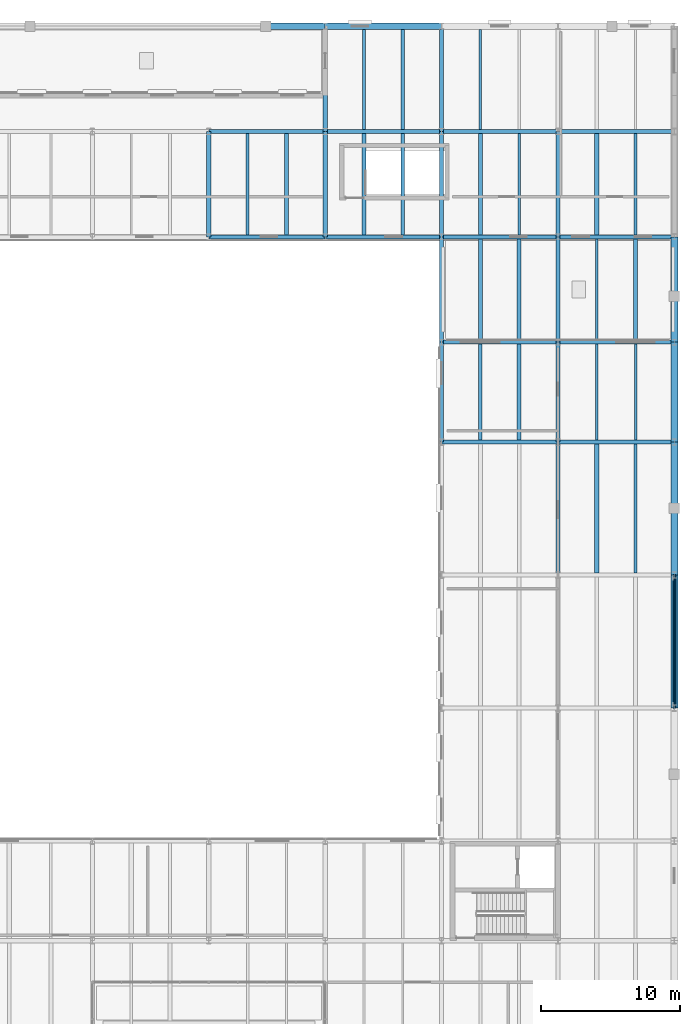
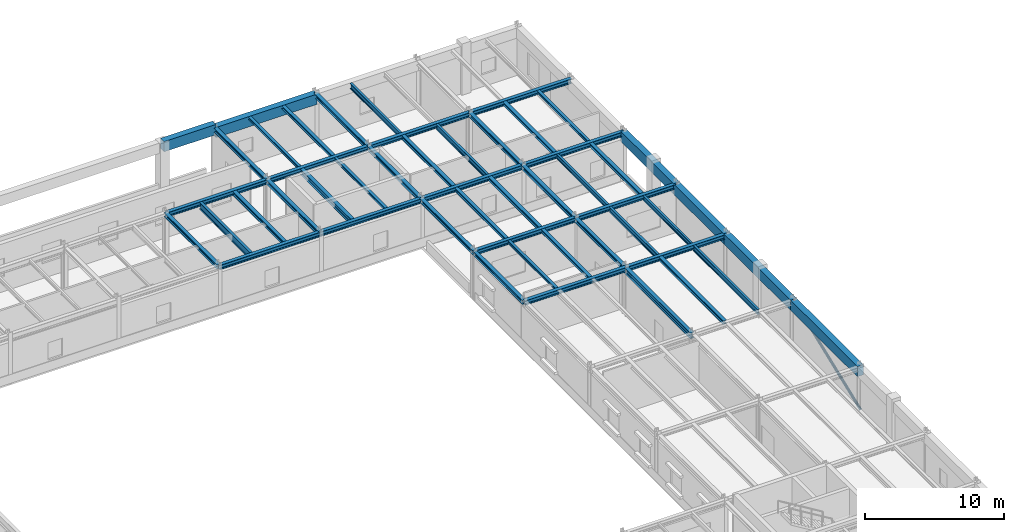
# One storey, part 34 of 64: 50 beams, 1 member.
"""IFC4 building model written with IfcOpenShell, lengths in metres."""

from ifc_helpers import new_model, si_unit, direction, frame, origin, origin_2d, place, context, subcontext, project, spatial, rectangle, hollow_circle, i_section, extrude, material, material_profile, profile_set, type_object, element, save


model = new_model("IFC4")

# Units and contexts
model_context = context("Model", 3, precision=1e-05, world=origin(), true_north=direction((0.0, 1.0)))
body_context = subcontext(model_context, "Body", "Model", "MODEL_VIEW")
ifc_project = project(units=[si_unit("LENGTHUNIT", "METRE"), si_unit("AREAUNIT", "SQUARE_METRE"), si_unit("VOLUMEUNIT", "CUBIC_METRE"), si_unit("PLANEANGLEUNIT", "RADIAN"), si_unit("MASSUNIT", "GRAM", prefix="KILO")], contexts=[model_context])

# Site, building, storey
site_placement = place(None, origin())
site = spatial("IfcSite", under=ifc_project, at=site_placement, CompositionType="ELEMENT")
building_placement = place(site_placement, origin())
building = spatial("IfcBuilding", under=site, at=building_placement, Name="Montealbar Specialist Clinic", CompositionType="ELEMENT")
storey_placement = place(building_placement, frame((0.0, 0.0, 5.10009765625)))
storey = spatial("IfcBuildingStorey", under=building, at=storey_placement, Name="L01", CompositionType="ELEMENT", Elevation=5.10009765625)

# Beams
ifc_material_1 = material(Name="Precast concrete C40/50", Category="concrete")
ifc_material_profile_1 = material_profile(ifc_material_1, rectangle(XDim=0.5, YDim=0.89990234375, at=origin_2d()), Name="PRECAST CORNICE 500x900", Category="concrete")
ifc_profile_set_1 = profile_set([ifc_material_profile_1], Name="Precast concrete C40/50")
beam_type_1 = type_object("IfcBeamType", Name="BM-CORNICE-PM900-EXT", PredefinedType="SPANDREL", material=ifc_profile_set_1)
beam_1_placement = place(storey_placement, frame((136.800048828125, 111.0, 3.77978515625), z_axis=(1.0, 0.0, 0.0), x_axis=(0.0, 1.0, 0.0)))
element("IfcBeam", 1, at=beam_1_placement, inside=storey, type_object=beam_type_1, Name="Postmodern Entablature Cornice L01 Y=111.0 X=136.8-145.2", PredefinedType="SPANDREL", context=body_context, shape_type="SweptSolid", body=[
    extrude(rectangle(XDim=0.5, YDim=0.89990234375, at=origin_2d()), origin(), (0.0, 0.0, 1.0), 8.39990234375),
])
beam_2_placement = place(storey_placement, frame((162.0, 61.800048828125, 3.77001953125), z_axis=(0.0, 1.0, 0.0), x_axis=(-1.0, 0.0, 0.0)))
element("IfcBeam", 2, at=beam_2_placement, inside=storey, type_object=beam_type_1, Name="Postmodern Entablature Cornice L01 X=162.0 Y=61.8-71.4", PredefinedType="SPANDREL", context=body_context, shape_type="SweptSolid", body=[
    extrude(rectangle(XDim=0.5, YDim=0.89990234375, at=origin_2d()), origin(), (0.0, 0.0, 1.0), 9.599853515625),
])
beam_3_placement = place(storey_placement, frame((162.0, 71.39990234375, 3.77001953125), z_axis=(0.0, 1.0, 0.0), x_axis=(-1.0, 0.0, 0.0)))
element("IfcBeam", 3, at=beam_3_placement, inside=storey, type_object=beam_type_1, Name="Postmodern Entablature Cornice L01 X=162.0 Y=71.4-81.0", PredefinedType="SPANDREL", context=body_context, shape_type="SweptSolid", body=[
    extrude(rectangle(XDim=0.5, YDim=0.89990234375, at=origin_2d()), origin(), (0.0, 0.0, 1.0), 9.60009765625),
])
beam_4_placement = place(storey_placement, frame((162.0, 81.0, 3.77001953125), z_axis=(0.0, 1.0, 0.0), x_axis=(-1.0, 0.0, 0.0)))
element("IfcBeam", 4, at=beam_4_placement, inside=storey, type_object=beam_type_1, Name="Postmodern Entablature Cornice L01 X=162.0 Y=81.0-88.2", PredefinedType="SPANDREL", context=body_context, shape_type="SweptSolid", body=[
    extrude(rectangle(XDim=0.5, YDim=0.89990234375, at=origin_2d()), origin(), (0.0, 0.0, 1.0), 7.199951171875),
])
beam_5_placement = place(storey_placement, frame((162.0, 88.199951171875, 3.77978515625), z_axis=(0.0, 1.0, 0.0), x_axis=(-1.0, 0.0, 0.0)))
element("IfcBeam", 5, at=beam_5_placement, inside=storey, type_object=beam_type_1, Name="Postmodern Entablature Cornice L01 X=162.0 Y=88.2-95.8", PredefinedType="SPANDREL", context=body_context, shape_type="SweptSolid", body=[
    extrude(rectangle(XDim=0.5, YDim=0.89990234375, at=origin_2d()), origin(), (0.0, 0.0, 1.0), 7.60009765625),
])
beam_6_placement = place(storey_placement, frame((132.5, 111.0, 4.0498046875), z_axis=(1.0, 0.0, 0.0), x_axis=(0.0, 1.0, 0.0)))
element("IfcBeam", 6, at=beam_6_placement, inside=storey, type_object=beam_type_1, Name="North Colonnade Portico Entablature X=132.5-136.8", PredefinedType="SPANDREL", context=body_context, shape_type="SweptSolid", body=[
    extrude(rectangle(XDim=0.5, YDim=0.89990234375, at=origin_2d()), origin(), (0.0, 0.0, 1.0), 4.300048828125),
])
ifc_material_2 = material(Name="Steel S355", Category="steel")
ifc_material_profile_2 = material_profile(ifc_material_2, i_section(OverallWidth=0.300048828125, OverallDepth=0.360107421875, WebThickness=0.012451171875, FlangeThickness=0.0224609375, FilletRadius=0.027099609375, at=origin_2d()), Name="HEB 360", Category="steel")
ifc_profile_set_2 = profile_set([ifc_material_profile_2], Name="Steel S355")
beam_type_2 = type_object("IfcBeamType", Name="BM-GIRD-HEB360-EXT", PredefinedType="BEAM", material=ifc_profile_set_2)
for number, where, z_axis, x_axis, name in (
    (7, (128.39990234375, 95.800048828125, 4.0498046875), (0.0, 1.0, 0.0), (-1.0, 0.0, 0.0), "Beam GY-L01-1284-958-1034"),
    (8, (136.800048828125, 95.800048828125, 4.0498046875), (0.0, 1.0, 0.0), (-1.0, 0.0, 0.0), "Beam GY-L01-1368-958-1034"),
):
    element("IfcBeam", number, at=place(storey_placement, frame(where, z_axis=z_axis, x_axis=x_axis)), inside=storey, type_object=beam_type_2, Name=name, PredefinedType="BEAM", context=body_context, shape_type="SweptSolid", body=[
        extrude(i_section(OverallWidth=0.300048828125, OverallDepth=0.360107421875, WebThickness=0.012451171875, FlangeThickness=0.0224609375, FilletRadius=0.027099609375, at=origin_2d()), origin(), (0.0, 0.0, 1.0), 7.599853515625),
    ])
beam_7_placement = place(storey_placement, frame((136.800048828125, 103.39990234375, 4.0498046875), z_axis=(0.0, 1.0, 0.0), x_axis=(-1.0, 0.0, 0.0)))
element("IfcBeam", 9, at=beam_7_placement, inside=storey, type_object=beam_type_2, Name="Beam GY-L01-1368-1034-1110", PredefinedType="BEAM", context=body_context, shape_type="SweptSolid", body=[
    extrude(i_section(OverallWidth=0.300048828125, OverallDepth=0.360107421875, WebThickness=0.012451171875, FlangeThickness=0.0224609375, FilletRadius=0.027099609375, at=origin_2d()), origin(), (0.0, 0.0, 1.0), 7.60009765625),
])
beam_8_placement = place(storey_placement, frame((145.199951171875, 81.0, 4.039794921875), z_axis=(0.0, 1.0, 0.0), x_axis=(-1.0, 0.0, 0.0)))
element("IfcBeam", 10, at=beam_8_placement, inside=storey, type_object=beam_type_2, Name="Beam GY-L01-1452-810-882", PredefinedType="BEAM", context=body_context, shape_type="SweptSolid", body=[
    extrude(i_section(OverallWidth=0.300048828125, OverallDepth=0.360107421875, WebThickness=0.012451171875, FlangeThickness=0.0224609375, FilletRadius=0.027099609375, at=origin_2d()), origin(), (0.0, 0.0, 1.0), 7.199951171875),
])
beam_9_placement = place(storey_placement, frame((145.199951171875, 88.199951171875, 4.0498046875), z_axis=(0.0, 1.0, 0.0), x_axis=(-1.0, 0.0, 0.0)))
element("IfcBeam", 11, at=beam_9_placement, inside=storey, type_object=beam_type_2, Name="Beam GY-L01-1452-882-958", PredefinedType="BEAM", context=body_context, shape_type="SweptSolid", body=[
    extrude(i_section(OverallWidth=0.300048828125, OverallDepth=0.360107421875, WebThickness=0.012451171875, FlangeThickness=0.0224609375, FilletRadius=0.027099609375, at=origin_2d()), origin(), (0.0, 0.0, 1.0), 7.60009765625),
])
beam_10_placement = place(storey_placement, frame((145.199951171875, 95.800048828125, 4.0498046875), z_axis=(0.0, 1.0, 0.0), x_axis=(-1.0, 0.0, 0.0)))
element("IfcBeam", 12, at=beam_10_placement, inside=storey, type_object=beam_type_2, Name="Beam GY-L01-1452-958-1034", PredefinedType="BEAM", context=body_context, shape_type="SweptSolid", body=[
    extrude(i_section(OverallWidth=0.300048828125, OverallDepth=0.360107421875, WebThickness=0.012451171875, FlangeThickness=0.0224609375, FilletRadius=0.027099609375, at=origin_2d()), origin(), (0.0, 0.0, 1.0), 7.599853515625),
])
beam_11_placement = place(storey_placement, frame((145.199951171875, 103.39990234375, 4.0498046875), z_axis=(0.0, 1.0, 0.0), x_axis=(-1.0, 0.0, 0.0)))
element("IfcBeam", 13, at=beam_11_placement, inside=storey, type_object=beam_type_2, Name="Beam GY-L01-1452-1034-1110", PredefinedType="BEAM", context=body_context, shape_type="SweptSolid", body=[
    extrude(i_section(OverallWidth=0.300048828125, OverallDepth=0.360107421875, WebThickness=0.012451171875, FlangeThickness=0.0224609375, FilletRadius=0.027099609375, at=origin_2d()), origin(), (0.0, 0.0, 1.0), 7.60009765625),
])
beam_12_placement = place(storey_placement, frame((153.60009765625, 81.0, 4.039794921875), z_axis=(0.0, 1.0, 0.0), x_axis=(-1.0, 0.0, 0.0)))
element("IfcBeam", 14, at=beam_12_placement, inside=storey, type_object=beam_type_2, Name="Beam GY-L01-1536-810-882", PredefinedType="BEAM", context=body_context, shape_type="SweptSolid", body=[
    extrude(i_section(OverallWidth=0.300048828125, OverallDepth=0.360107421875, WebThickness=0.012451171875, FlangeThickness=0.0224609375, FilletRadius=0.027099609375, at=origin_2d()), origin(), (0.0, 0.0, 1.0), 7.199951171875),
])
beam_13_placement = place(storey_placement, frame((153.60009765625, 88.199951171875, 4.0498046875), z_axis=(0.0, 1.0, 0.0), x_axis=(-1.0, 0.0, 0.0)))
element("IfcBeam", 15, at=beam_13_placement, inside=storey, type_object=beam_type_2, Name="Beam GY-L01-1536-882-958", PredefinedType="BEAM", context=body_context, shape_type="SweptSolid", body=[
    extrude(i_section(OverallWidth=0.300048828125, OverallDepth=0.360107421875, WebThickness=0.012451171875, FlangeThickness=0.0224609375, FilletRadius=0.027099609375, at=origin_2d()), origin(), (0.0, 0.0, 1.0), 7.60009765625),
])
beam_14_placement = place(storey_placement, frame((153.60009765625, 95.800048828125, 4.0498046875), z_axis=(0.0, 1.0, 0.0), x_axis=(-1.0, 0.0, 0.0)))
element("IfcBeam", 16, at=beam_14_placement, inside=storey, type_object=beam_type_2, Name="Beam GY-L01-1536-958-1034", PredefinedType="BEAM", context=body_context, shape_type="SweptSolid", body=[
    extrude(i_section(OverallWidth=0.300048828125, OverallDepth=0.360107421875, WebThickness=0.012451171875, FlangeThickness=0.0224609375, FilletRadius=0.027099609375, at=origin_2d()), origin(), (0.0, 0.0, 1.0), 7.599853515625),
])
ifc_material_profile_3 = material_profile(ifc_material_2, i_section(OverallWidth=0.300048828125, OverallDepth=0.39990234375, WebThickness=0.013427734375, FlangeThickness=0.02392578125, FilletRadius=0.027099609375, at=origin_2d()), Name="HEB 400", Category="steel")
ifc_profile_set_3 = profile_set([ifc_material_profile_3], Name="Steel S355")
beam_type_3 = type_object("IfcBeamType", Name="BM-GIRD-HEB400-EXT", PredefinedType="BEAM", material=ifc_profile_set_3)
beam_15_placement = place(storey_placement, frame((145.199951171875, 81.0, 4.02001953125), z_axis=(1.0, 0.0, 0.0), x_axis=(0.0, 1.0, 0.0)))
element("IfcBeam", 17, at=beam_15_placement, inside=storey, type_object=beam_type_3, Name="Beam GX-L01-1452-1536-810", PredefinedType="BEAM", context=body_context, shape_type="SweptSolid", body=[
    extrude(i_section(OverallWidth=0.300048828125, OverallDepth=0.39990234375, WebThickness=0.013427734375, FlangeThickness=0.02392578125, FilletRadius=0.027099609375, at=origin_2d()), origin(), (0.0, 0.0, 1.0), 8.400146484375),
])
beam_16_placement = place(storey_placement, frame((153.60009765625, 81.0, 4.02001953125), z_axis=(1.0, 0.0, 0.0), x_axis=(0.0, 1.0, 0.0)))
element("IfcBeam", 18, at=beam_16_placement, inside=storey, type_object=beam_type_3, Name="Beam GX-L01-1536-1620-810", PredefinedType="BEAM", context=body_context, shape_type="SweptSolid", body=[
    extrude(i_section(OverallWidth=0.300048828125, OverallDepth=0.39990234375, WebThickness=0.013427734375, FlangeThickness=0.02392578125, FilletRadius=0.027099609375, at=origin_2d()), origin(), (0.0, 0.0, 1.0), 8.39990234375),
])
beam_17_placement = place(storey_placement, frame((145.199951171875, 88.199951171875, 4.02978515625), z_axis=(1.0, 0.0, 0.0), x_axis=(0.0, 1.0, 0.0)))
element("IfcBeam", 19, at=beam_17_placement, inside=storey, type_object=beam_type_3, Name="Beam GX-L01-1452-1536-882", PredefinedType="BEAM", context=body_context, shape_type="SweptSolid", body=[
    extrude(i_section(OverallWidth=0.300048828125, OverallDepth=0.39990234375, WebThickness=0.013427734375, FlangeThickness=0.02392578125, FilletRadius=0.027099609375, at=origin_2d()), origin(), (0.0, 0.0, 1.0), 8.400146484375),
])
beam_18_placement = place(storey_placement, frame((153.60009765625, 88.199951171875, 4.02978515625), z_axis=(1.0, 0.0, 0.0), x_axis=(0.0, 1.0, 0.0)))
element("IfcBeam", 20, at=beam_18_placement, inside=storey, type_object=beam_type_3, Name="Beam GX-L01-1536-1620-882", PredefinedType="BEAM", context=body_context, shape_type="SweptSolid", body=[
    extrude(i_section(OverallWidth=0.300048828125, OverallDepth=0.39990234375, WebThickness=0.013427734375, FlangeThickness=0.02392578125, FilletRadius=0.027099609375, at=origin_2d()), origin(), (0.0, 0.0, 1.0), 8.39990234375),
])
beam_19_placement = place(storey_placement, frame((128.39990234375, 95.800048828125, 4.02978515625), z_axis=(1.0, 0.0, 0.0), x_axis=(0.0, 1.0, 0.0)))
element("IfcBeam", 21, at=beam_19_placement, inside=storey, type_object=beam_type_3, Name="Beam GX-L01-1284-1368-958", PredefinedType="BEAM", context=body_context, shape_type="SweptSolid", body=[
    extrude(i_section(OverallWidth=0.300048828125, OverallDepth=0.39990234375, WebThickness=0.013427734375, FlangeThickness=0.02392578125, FilletRadius=0.027099609375, at=origin_2d()), origin(), (0.0, 0.0, 1.0), 8.400146484375),
])
beam_20_placement = place(storey_placement, frame((136.800048828125, 95.800048828125, 4.02978515625), z_axis=(1.0, 0.0, 0.0), x_axis=(0.0, 1.0, 0.0)))
element("IfcBeam", 22, at=beam_20_placement, inside=storey, type_object=beam_type_3, Name="Beam GX-L01-1368-1452-958", PredefinedType="BEAM", context=body_context, shape_type="SweptSolid", body=[
    extrude(i_section(OverallWidth=0.300048828125, OverallDepth=0.39990234375, WebThickness=0.013427734375, FlangeThickness=0.02392578125, FilletRadius=0.027099609375, at=origin_2d()), origin(), (0.0, 0.0, 1.0), 8.39990234375),
])
beam_21_placement = place(storey_placement, frame((145.199951171875, 95.800048828125, 4.02978515625), z_axis=(1.0, 0.0, 0.0), x_axis=(0.0, 1.0, 0.0)))
element("IfcBeam", 23, at=beam_21_placement, inside=storey, type_object=beam_type_3, Name="Beam GX-L01-1452-1536-958", PredefinedType="BEAM", context=body_context, shape_type="SweptSolid", body=[
    extrude(i_section(OverallWidth=0.300048828125, OverallDepth=0.39990234375, WebThickness=0.013427734375, FlangeThickness=0.02392578125, FilletRadius=0.027099609375, at=origin_2d()), origin(), (0.0, 0.0, 1.0), 8.400146484375),
])
beam_22_placement = place(storey_placement, frame((153.60009765625, 95.800048828125, 4.02978515625), z_axis=(1.0, 0.0, 0.0), x_axis=(0.0, 1.0, 0.0)))
element("IfcBeam", 24, at=beam_22_placement, inside=storey, type_object=beam_type_3, Name="Beam GX-L01-1536-1620-958", PredefinedType="BEAM", context=body_context, shape_type="SweptSolid", body=[
    extrude(i_section(OverallWidth=0.300048828125, OverallDepth=0.39990234375, WebThickness=0.013427734375, FlangeThickness=0.02392578125, FilletRadius=0.027099609375, at=origin_2d()), origin(), (0.0, 0.0, 1.0), 8.39990234375),
])
beam_23_placement = place(storey_placement, frame((128.39990234375, 103.39990234375, 4.02978515625), z_axis=(1.0, 0.0, 0.0), x_axis=(0.0, 1.0, 0.0)))
element("IfcBeam", 25, at=beam_23_placement, inside=storey, type_object=beam_type_3, Name="Beam GX-L01-1284-1368-1034", PredefinedType="BEAM", context=body_context, shape_type="SweptSolid", body=[
    extrude(i_section(OverallWidth=0.300048828125, OverallDepth=0.39990234375, WebThickness=0.013427734375, FlangeThickness=0.02392578125, FilletRadius=0.027099609375, at=origin_2d()), origin(), (0.0, 0.0, 1.0), 8.400146484375),
])
beam_24_placement = place(storey_placement, frame((136.800048828125, 103.39990234375, 4.02978515625), z_axis=(1.0, 0.0, 0.0), x_axis=(0.0, 1.0, 0.0)))
element("IfcBeam", 26, at=beam_24_placement, inside=storey, type_object=beam_type_3, Name="Beam GX-L01-1368-1452-1034", PredefinedType="BEAM", context=body_context, shape_type="SweptSolid", body=[
    extrude(i_section(OverallWidth=0.300048828125, OverallDepth=0.39990234375, WebThickness=0.013427734375, FlangeThickness=0.02392578125, FilletRadius=0.027099609375, at=origin_2d()), origin(), (0.0, 0.0, 1.0), 8.39990234375),
])
beam_25_placement = place(storey_placement, frame((145.199951171875, 103.39990234375, 4.02978515625), z_axis=(1.0, 0.0, 0.0), x_axis=(0.0, 1.0, 0.0)))
element("IfcBeam", 27, at=beam_25_placement, inside=storey, type_object=beam_type_3, Name="Beam GX-L01-1452-1536-1034", PredefinedType="BEAM", context=body_context, shape_type="SweptSolid", body=[
    extrude(i_section(OverallWidth=0.300048828125, OverallDepth=0.39990234375, WebThickness=0.013427734375, FlangeThickness=0.02392578125, FilletRadius=0.027099609375, at=origin_2d()), origin(), (0.0, 0.0, 1.0), 8.400146484375),
])
beam_26_placement = place(storey_placement, frame((153.60009765625, 103.39990234375, 4.02978515625), z_axis=(1.0, 0.0, 0.0), x_axis=(0.0, 1.0, 0.0)))
element("IfcBeam", 28, at=beam_26_placement, inside=storey, type_object=beam_type_3, Name="Beam GX-L01-1536-1620-1034", PredefinedType="BEAM", context=body_context, shape_type="SweptSolid", body=[
    extrude(i_section(OverallWidth=0.300048828125, OverallDepth=0.39990234375, WebThickness=0.013427734375, FlangeThickness=0.02392578125, FilletRadius=0.027099609375, at=origin_2d()), origin(), (0.0, 0.0, 1.0), 8.39990234375),
])
ifc_material_profile_4 = material_profile(ifc_material_2, i_section(OverallWidth=0.300048828125, OverallDepth=0.5, WebThickness=0.014404296875, FlangeThickness=0.028076171875, FilletRadius=0.027099609375, at=origin_2d()), Name="HEB 500", Category="steel")
ifc_profile_set_4 = profile_set([ifc_material_profile_4], Name="Steel S355")
beam_type_4 = type_object("IfcBeamType", Name="BM-GIRD-HEB500", PredefinedType="BEAM", material=ifc_profile_set_4)
beam_27_placement = place(storey_placement, frame((153.60009765625, 71.39990234375, 3.969970703125), z_axis=(0.0, 1.0, 0.0), x_axis=(-1.0, 0.0, 0.0)))
element("IfcBeam", 29, at=beam_27_placement, inside=storey, type_object=beam_type_4, Name="Beam GY-L01-1536-714-810", PredefinedType="BEAM", context=body_context, shape_type="SweptSolid", body=[
    extrude(i_section(OverallWidth=0.300048828125, OverallDepth=0.5, WebThickness=0.014404296875, FlangeThickness=0.028076171875, FilletRadius=0.027099609375, at=origin_2d()), origin(), (0.0, 0.0, 1.0), 9.60009765625),
])
ifc_material_profile_5 = material_profile(ifc_material_2, i_section(OverallWidth=0.300048828125, OverallDepth=0.35009765625, WebThickness=0.010009765625, FlangeThickness=0.017578125, FilletRadius=0.027099609375, at=origin_2d()), Name="HEA 360", Category="steel")
ifc_profile_set_5 = profile_set([ifc_material_profile_5], Name="Steel S355")
beam_type_5 = type_object("IfcBeamType", Name="BM-JST-HEA360", PredefinedType="JOIST", material=ifc_profile_set_5)
beam_28_placement = place(storey_placement, frame((134.0, 95.949951171875, 4.054931640625), z_axis=(0.0, 1.0, 0.0), x_axis=(-1.0, 0.0, 0.0)))
element("IfcBeam", 30, at=beam_28_placement, inside=storey, type_object=beam_type_5, Name="Beam JST-L01-1340-960-1032", PredefinedType="JOIST", context=body_context, shape_type="SweptSolid", body=[
    extrude(i_section(OverallWidth=0.300048828125, OverallDepth=0.35009765625, WebThickness=0.010009765625, FlangeThickness=0.017578125, FilletRadius=0.027099609375, at=origin_2d()), origin(), (0.0, 0.0, 1.0), 7.300048828125),
])
ifc_material_profile_6 = material_profile(ifc_material_2, i_section(OverallWidth=0.300048828125, OverallDepth=0.489990234375, WebThickness=0.011962890625, FlangeThickness=0.02294921875, FilletRadius=0.027099609375, at=origin_2d()), Name="HEA 500", Category="steel")
ifc_profile_set_6 = profile_set([ifc_material_profile_6], Name="Steel S355")
beam_type_6 = type_object("IfcBeamType", Name="BM-JST-HEA500", PredefinedType="JOIST", material=ifc_profile_set_6)
beam_29_placement = place(storey_placement, frame((139.60009765625, 95.949951171875, 3.98486328125), z_axis=(0.0, 1.0, 0.0), x_axis=(-1.0, 0.0, 0.0)))
element("IfcBeam", 31, at=beam_29_placement, inside=storey, type_object=beam_type_6, Name="Beam JST-L01-1396-960-1032", PredefinedType="JOIST", context=body_context, shape_type="SweptSolid", body=[
    extrude(i_section(OverallWidth=0.300048828125, OverallDepth=0.489990234375, WebThickness=0.011962890625, FlangeThickness=0.02294921875, FilletRadius=0.027099609375, at=origin_2d()), origin(), (0.0, 0.0, 1.0), 7.300048828125),
])
ifc_material_profile_7 = material_profile(ifc_material_2, i_section(OverallWidth=0.239990234375, OverallDepth=0.239990234375, WebThickness=0.010009765625, FlangeThickness=0.01708984375, FilletRadius=0.02099609375, at=origin_2d()), Name="HEB 240", Category="steel")
ifc_profile_set_7 = profile_set([ifc_material_profile_7], Name="Steel S355")
beam_type_7 = type_object("IfcBeamType", Name="BM-JST-HEB240", PredefinedType="JOIST", material=ifc_profile_set_7)
beam_30_placement = place(storey_placement, frame((142.39990234375, 95.949951171875, 4.10986328125), z_axis=(0.0, 1.0, 0.0), x_axis=(-1.0, 0.0, 0.0)))
element("IfcBeam", 32, at=beam_30_placement, inside=storey, type_object=beam_type_7, Name="Beam JST-L01-1424-960-1032", PredefinedType="JOIST", context=body_context, shape_type="SweptSolid", body=[
    extrude(i_section(OverallWidth=0.239990234375, OverallDepth=0.239990234375, WebThickness=0.010009765625, FlangeThickness=0.01708984375, FilletRadius=0.02099609375, at=origin_2d()), origin(), (0.0, 0.0, 1.0), 7.300048828125),
])
beam_31_placement = place(storey_placement, frame((139.60009765625, 103.550048828125, 4.10986328125), z_axis=(0.0, 1.0, 0.0), x_axis=(-1.0, 0.0, 0.0)))
element("IfcBeam", 33, at=beam_31_placement, inside=storey, type_object=beam_type_7, Name="Beam JST-L01-1396-1036-1108", PredefinedType="JOIST", context=body_context, shape_type="SweptSolid", body=[
    extrude(i_section(OverallWidth=0.239990234375, OverallDepth=0.239990234375, WebThickness=0.010009765625, FlangeThickness=0.01708984375, FilletRadius=0.02099609375, at=origin_2d()), origin(), (0.0, 0.0, 1.0), 7.199951171875),
])
beam_32_placement = place(storey_placement, frame((148.0, 81.14990234375, 4.099853515625), z_axis=(0.0, 1.0, 0.0), x_axis=(-1.0, 0.0, 0.0)))
element("IfcBeam", 34, at=beam_32_placement, inside=storey, type_object=beam_type_7, Name="Beam JST-L01-1480-812-880", PredefinedType="JOIST", context=body_context, shape_type="SweptSolid", body=[
    extrude(i_section(OverallWidth=0.239990234375, OverallDepth=0.239990234375, WebThickness=0.010009765625, FlangeThickness=0.01708984375, FilletRadius=0.02099609375, at=origin_2d()), origin(), (0.0, 0.0, 1.0), 6.900146484375),
])
ifc_material_profile_8 = material_profile(ifc_material_2, i_section(OverallWidth=0.280029296875, OverallDepth=0.280029296875, WebThickness=0.010498046875, FlangeThickness=0.01806640625, FilletRadius=0.02392578125, at=origin_2d()), Name="HEB 280", Category="steel")
ifc_profile_set_8 = profile_set([ifc_material_profile_8], Name="Steel S355")
beam_type_8 = type_object("IfcBeamType", Name="BM-JST-HEB280", PredefinedType="JOIST", material=ifc_profile_set_8)
beam_33_placement = place(storey_placement, frame((142.39990234375, 103.550048828125, 4.08984375), z_axis=(0.0, 1.0, 0.0), x_axis=(-1.0, 0.0, 0.0)))
element("IfcBeam", 35, at=beam_33_placement, inside=storey, type_object=beam_type_8, Name="Beam JST-L01-1424-1036-1108", PredefinedType="JOIST", context=body_context, shape_type="SweptSolid", body=[
    extrude(i_section(OverallWidth=0.280029296875, OverallDepth=0.280029296875, WebThickness=0.010498046875, FlangeThickness=0.01806640625, FilletRadius=0.02392578125, at=origin_2d()), origin(), (0.0, 0.0, 1.0), 7.199951171875),
])
beam_34_placement = place(storey_placement, frame((150.800048828125, 81.14990234375, 4.079833984375), z_axis=(0.0, 1.0, 0.0), x_axis=(-1.0, 0.0, 0.0)))
element("IfcBeam", 36, at=beam_34_placement, inside=storey, type_object=beam_type_8, Name="Beam JST-L01-1508-812-880", PredefinedType="JOIST", context=body_context, shape_type="SweptSolid", body=[
    extrude(i_section(OverallWidth=0.280029296875, OverallDepth=0.280029296875, WebThickness=0.010498046875, FlangeThickness=0.01806640625, FilletRadius=0.02392578125, at=origin_2d()), origin(), (0.0, 0.0, 1.0), 6.900146484375),
])
beam_35_placement = place(storey_placement, frame((148.0, 88.35009765625, 4.08984375), z_axis=(0.0, 1.0, 0.0), x_axis=(-1.0, 0.0, 0.0)))
element("IfcBeam", 37, at=beam_35_placement, inside=storey, type_object=beam_type_8, Name="Beam JST-L01-1480-884-956", PredefinedType="JOIST", context=body_context, shape_type="SweptSolid", body=[
    extrude(i_section(OverallWidth=0.280029296875, OverallDepth=0.280029296875, WebThickness=0.010498046875, FlangeThickness=0.01806640625, FilletRadius=0.02392578125, at=origin_2d()), origin(), (0.0, 0.0, 1.0), 7.2998046875),
])
ifc_material_profile_9 = material_profile(ifc_material_2, i_section(OverallWidth=0.300048828125, OverallDepth=0.320068359375, WebThickness=0.011474609375, FlangeThickness=0.0205078125, FilletRadius=0.027099609375, at=origin_2d()), Name="HEB 320", Category="steel")
ifc_profile_set_9 = profile_set([ifc_material_profile_9], Name="Steel S355")
beam_type_9 = type_object("IfcBeamType", Name="BM-JST-HEB320", PredefinedType="JOIST", material=ifc_profile_set_9)
beam_36_placement = place(storey_placement, frame((150.800048828125, 88.35009765625, 4.06982421875), z_axis=(0.0, 1.0, 0.0), x_axis=(-1.0, 0.0, 0.0)))
element("IfcBeam", 38, at=beam_36_placement, inside=storey, type_object=beam_type_9, Name="Beam JST-L01-1508-884-956", PredefinedType="JOIST", context=body_context, shape_type="SweptSolid", body=[
    extrude(i_section(OverallWidth=0.300048828125, OverallDepth=0.320068359375, WebThickness=0.011474609375, FlangeThickness=0.0205078125, FilletRadius=0.027099609375, at=origin_2d()), origin(), (0.0, 0.0, 1.0), 7.2998046875),
])
beam_37_placement = place(storey_placement, frame((148.0, 95.949951171875, 4.06982421875), z_axis=(0.0, 1.0, 0.0), x_axis=(-1.0, 0.0, 0.0)))
element("IfcBeam", 39, at=beam_37_placement, inside=storey, type_object=beam_type_9, Name="Beam JST-L01-1480-960-1032", PredefinedType="JOIST", context=body_context, shape_type="SweptSolid", body=[
    extrude(i_section(OverallWidth=0.300048828125, OverallDepth=0.320068359375, WebThickness=0.011474609375, FlangeThickness=0.0205078125, FilletRadius=0.027099609375, at=origin_2d()), origin(), (0.0, 0.0, 1.0), 7.300048828125),
])
beam_38_placement = place(storey_placement, frame((156.39990234375, 71.550048828125, 4.059814453125), z_axis=(0.0, 1.0, 0.0), x_axis=(-1.0, 0.0, 0.0)))
element("IfcBeam", 40, at=beam_38_placement, inside=storey, type_object=beam_type_9, Name="Beam JST-L01-1564-716-808", PredefinedType="JOIST", context=body_context, shape_type="SweptSolid", body=[
    extrude(i_section(OverallWidth=0.300048828125, OverallDepth=0.320068359375, WebThickness=0.011474609375, FlangeThickness=0.0205078125, FilletRadius=0.027099609375, at=origin_2d()), origin(), (0.0, 0.0, 1.0), 9.300048828125),
])
ifc_material_profile_10 = material_profile(ifc_material_2, i_section(OverallWidth=0.219970703125, OverallDepth=0.60009765625, WebThickness=0.011962890625, FlangeThickness=0.01904296875, FilletRadius=0.02392578125, at=origin_2d()), Name="IPE 600", Category="steel")
ifc_profile_set_10 = profile_set([ifc_material_profile_10], Name="Steel S355")
beam_type_10 = type_object("IfcBeamType", Name="BM-JST-IPE600", PredefinedType="JOIST", material=ifc_profile_set_10)
beam_39_placement = place(storey_placement, frame((131.199951171875, 95.949951171875, 3.929931640625), z_axis=(0.0, 1.0, 0.0), x_axis=(-1.0, 0.0, 0.0)))
element("IfcBeam", 41, at=beam_39_placement, inside=storey, type_object=beam_type_10, Name="Beam JST-L01-1312-960-1032", PredefinedType="JOIST", context=body_context, shape_type="SweptSolid", body=[
    extrude(i_section(OverallWidth=0.219970703125, OverallDepth=0.60009765625, WebThickness=0.011962890625, FlangeThickness=0.01904296875, FilletRadius=0.02392578125, at=origin_2d()), origin(), (0.0, 0.0, 1.0), 7.300048828125),
])
ifc_material_profile_11 = material_profile(ifc_material_2, i_section(OverallWidth=0.179931640625, OverallDepth=0.39990234375, WebThickness=0.008544921875, FlangeThickness=0.013427734375, FilletRadius=0.02099609375, at=origin_2d()), Name="IPE 400", Category="steel")
ifc_profile_set_11 = profile_set([ifc_material_profile_11], Name="Steel S355")
beam_type_11 = type_object("IfcBeamType", Name="BM-SEC-IPE400", PredefinedType="BEAM", material=ifc_profile_set_11)
beam_40_placement = place(storey_placement, frame((159.199951171875, 81.14990234375, 4.02001953125), z_axis=(0.0, 1.0, 0.0), x_axis=(-1.0, 0.0, 0.0)))
element("IfcBeam", 42, at=beam_40_placement, inside=storey, type_object=beam_type_11, Name="Beam JST-L01-1592-812-880", PredefinedType="BEAM", context=body_context, shape_type="SweptSolid", body=[
    extrude(i_section(OverallWidth=0.179931640625, OverallDepth=0.39990234375, WebThickness=0.008544921875, FlangeThickness=0.013427734375, FilletRadius=0.02099609375, at=origin_2d()), origin(), (0.0, 0.0, 1.0), 6.900146484375),
])
beam_41_placement = place(storey_placement, frame((156.39990234375, 88.35009765625, 4.02978515625), z_axis=(0.0, 1.0, 0.0), x_axis=(-1.0, 0.0, 0.0)))
element("IfcBeam", 43, at=beam_41_placement, inside=storey, type_object=beam_type_11, Name="Beam JST-L01-1564-884-956", PredefinedType="BEAM", context=body_context, shape_type="SweptSolid", body=[
    extrude(i_section(OverallWidth=0.179931640625, OverallDepth=0.39990234375, WebThickness=0.008544921875, FlangeThickness=0.013427734375, FilletRadius=0.02099609375, at=origin_2d()), origin(), (0.0, 0.0, 1.0), 7.2998046875),
])
ifc_material_profile_12 = material_profile(ifc_material_2, i_section(OverallWidth=0.18994140625, OverallDepth=0.449951171875, WebThickness=0.009521484375, FlangeThickness=0.0146484375, FilletRadius=0.02099609375, at=origin_2d()), Name="IPE 450", Category="steel")
ifc_profile_set_12 = profile_set([ifc_material_profile_12], Name="Steel S355")
beam_type_12 = type_object("IfcBeamType", Name="BM-SEC-IPE450", PredefinedType="BEAM", material=ifc_profile_set_12)
beam_42_placement = place(storey_placement, frame((150.800048828125, 95.949951171875, 4.0048828125), z_axis=(0.0, 1.0, 0.0), x_axis=(-1.0, 0.0, 0.0)))
element("IfcBeam", 44, at=beam_42_placement, inside=storey, type_object=beam_type_12, Name="Beam JST-L01-1508-960-1032", PredefinedType="BEAM", context=body_context, shape_type="SweptSolid", body=[
    extrude(i_section(OverallWidth=0.18994140625, OverallDepth=0.449951171875, WebThickness=0.009521484375, FlangeThickness=0.0146484375, FilletRadius=0.02099609375, at=origin_2d()), origin(), (0.0, 0.0, 1.0), 7.300048828125),
])
beam_43_placement = place(storey_placement, frame((148.0, 103.550048828125, 4.0048828125), z_axis=(0.0, 1.0, 0.0), x_axis=(-1.0, 0.0, 0.0)))
element("IfcBeam", 45, at=beam_43_placement, inside=storey, type_object=beam_type_12, Name="Beam JST-L01-1480-1036-1108", PredefinedType="BEAM", context=body_context, shape_type="SweptSolid", body=[
    extrude(i_section(OverallWidth=0.18994140625, OverallDepth=0.449951171875, WebThickness=0.009521484375, FlangeThickness=0.0146484375, FilletRadius=0.02099609375, at=origin_2d()), origin(), (0.0, 0.0, 1.0), 7.199951171875),
])
beam_44_placement = place(storey_placement, frame((159.199951171875, 71.550048828125, 3.994873046875), z_axis=(0.0, 1.0, 0.0), x_axis=(-1.0, 0.0, 0.0)))
element("IfcBeam", 46, at=beam_44_placement, inside=storey, type_object=beam_type_12, Name="Beam JST-L01-1592-716-808", PredefinedType="BEAM", context=body_context, shape_type="SweptSolid", body=[
    extrude(i_section(OverallWidth=0.18994140625, OverallDepth=0.449951171875, WebThickness=0.009521484375, FlangeThickness=0.0146484375, FilletRadius=0.02099609375, at=origin_2d()), origin(), (0.0, 0.0, 1.0), 9.300048828125),
])
beam_45_placement = place(storey_placement, frame((156.39990234375, 81.14990234375, 3.994873046875), z_axis=(0.0, 1.0, 0.0), x_axis=(-1.0, 0.0, 0.0)))
element("IfcBeam", 47, at=beam_45_placement, inside=storey, type_object=beam_type_12, Name="Beam JST-L01-1564-812-880", PredefinedType="BEAM", context=body_context, shape_type="SweptSolid", body=[
    extrude(i_section(OverallWidth=0.18994140625, OverallDepth=0.449951171875, WebThickness=0.009521484375, FlangeThickness=0.0146484375, FilletRadius=0.02099609375, at=origin_2d()), origin(), (0.0, 0.0, 1.0), 6.900146484375),
])
ifc_material_profile_13 = material_profile(ifc_material_2, i_section(OverallWidth=0.239990234375, OverallDepth=0.22998046875, WebThickness=0.007568359375, FlangeThickness=0.011962890625, FilletRadius=0.02099609375, at=origin_2d()), Name="HEA 240", Category="steel")
ifc_profile_set_13 = profile_set([ifc_material_profile_13], Name="Steel S355")
beam_type_13 = type_object("IfcBeamType", Name="BM-SPAND-HEA240", PredefinedType="SPANDREL", material=ifc_profile_set_13)
beam_46_placement = place(storey_placement, frame((159.199951171875, 95.949951171875, 4.114990234375), z_axis=(0.0, 1.0, 0.0), x_axis=(-1.0, 0.0, 0.0)))
element("IfcBeam", 48, at=beam_46_placement, inside=storey, type_object=beam_type_13, Name="Beam JST-L01-1592-960-1032", PredefinedType="SPANDREL", context=body_context, shape_type="SweptSolid", body=[
    extrude(i_section(OverallWidth=0.239990234375, OverallDepth=0.22998046875, WebThickness=0.007568359375, FlangeThickness=0.011962890625, FilletRadius=0.02099609375, at=origin_2d()), origin(), (0.0, 0.0, 1.0), 7.300048828125),
])
ifc_material_profile_14 = material_profile(ifc_material_2, i_section(OverallWidth=0.300048828125, OverallDepth=0.2900390625, WebThickness=0.008544921875, FlangeThickness=0.013916015625, FilletRadius=0.027099609375, at=origin_2d()), Name="HEA 300", Category="steel")
ifc_profile_set_14 = profile_set([ifc_material_profile_14], Name="Steel S355")
beam_type_14 = type_object("IfcBeamType", Name="BM-SPAND-HEA300", PredefinedType="SPANDREL", material=ifc_profile_set_14)
beam_47_placement = place(storey_placement, frame((159.199951171875, 88.35009765625, 4.0849609375), z_axis=(0.0, 1.0, 0.0), x_axis=(-1.0, 0.0, 0.0)))
element("IfcBeam", 49, at=beam_47_placement, inside=storey, type_object=beam_type_14, Name="Beam JST-L01-1592-884-956", PredefinedType="SPANDREL", context=body_context, shape_type="SweptSolid", body=[
    extrude(i_section(OverallWidth=0.300048828125, OverallDepth=0.2900390625, WebThickness=0.008544921875, FlangeThickness=0.013916015625, FilletRadius=0.027099609375, at=origin_2d()), origin(), (0.0, 0.0, 1.0), 7.2998046875),
])
beam_48_placement = place(storey_placement, frame((156.39990234375, 95.949951171875, 4.0849609375), z_axis=(0.0, 1.0, 0.0), x_axis=(-1.0, 0.0, 0.0)))
element("IfcBeam", 50, at=beam_48_placement, inside=storey, type_object=beam_type_14, Name="Beam JST-L01-1564-960-1032", PredefinedType="SPANDREL", context=body_context, shape_type="SweptSolid", body=[
    extrude(i_section(OverallWidth=0.300048828125, OverallDepth=0.2900390625, WebThickness=0.008544921875, FlangeThickness=0.013916015625, FilletRadius=0.027099609375, at=origin_2d()), origin(), (0.0, 0.0, 1.0), 7.300048828125),
])

# Member
ifc_material_profile_15 = material_profile(ifc_material_2, hollow_circle(Radius=0.109619140625, WallThickness=0.010009765625, at=origin_2d()), Name="CHS 219.1x10.0", Category="steel")
ifc_profile_set_15 = profile_set([ifc_material_profile_15], Name="Steel S355")
member_type = type_object("IfcMemberType", Name="MB-LAT-BRACE-B-EXT", PredefinedType="BRACE", material=ifc_profile_set_15)
member_placement = place(storey_placement, frame((162.0, 61.800048828125, 0.3798828125), z_axis=(0.0, 0.930796083533, 0.365538850027), x_axis=(-1.0, 0.0, 0.0)))
element("IfcMember", 51, at=member_placement, inside=storey, type_object=member_type, Name="Lateral frame brace LB-06", PredefinedType="BRACE", context=body_context, shape_type="SweptSolid", body=[
    extrude(hollow_circle(Radius=0.109619140625, WallThickness=0.010009765625, at=origin_2d()), origin(), (0.0, 0.0, 1.0), 10.3134765625),
])

save(model, "model.ifc")
